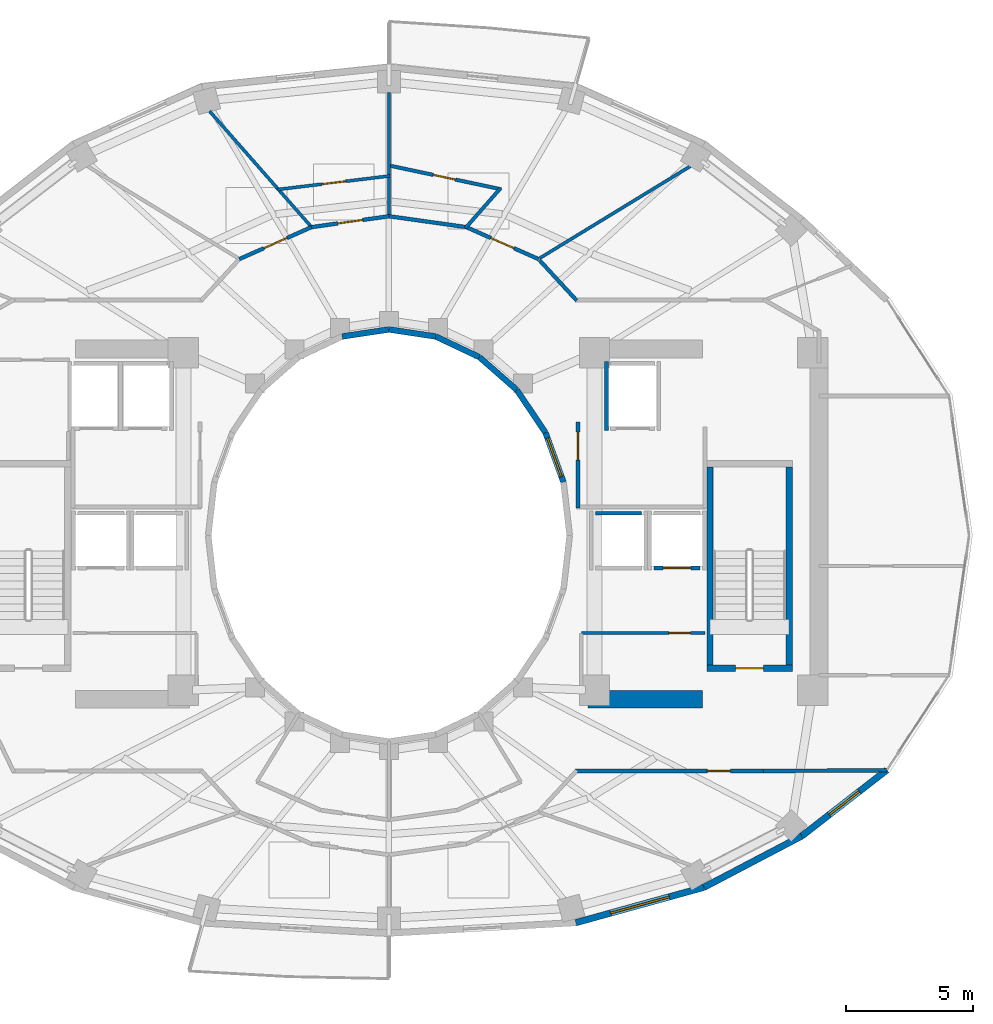
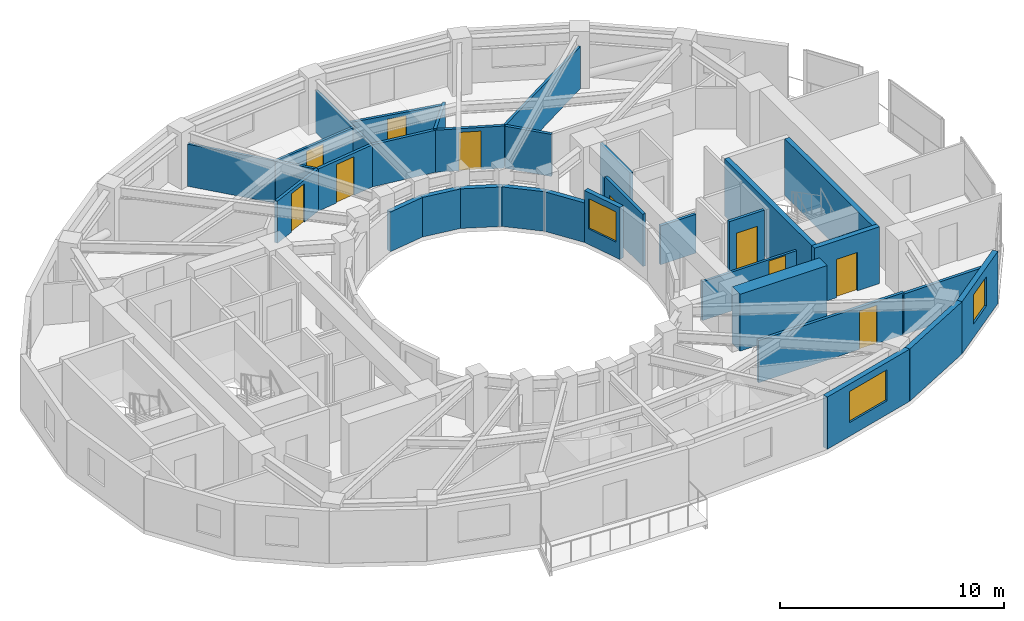
# One storey, part 8 of 13: 31 walls, 10 doors, 3 windows, 13 openings.
"""IFC4 building model written with IfcOpenShell, lengths in metres."""

import ifcopenshell
import ifcopenshell.guid

model = None  # the IFC model being written
_history = None  # IfcOwnerHistory: only IFC2X3 demands one
_inside = {}  # id of a spatial element -> (the spatial element, [elements in it])
_under = {}  # id of a project, library or spatial element -> (it, [spatial elements below it])
_declared = {}  # id of a project -> (the project, [libraries it declares])
_typed = {}  # id of a type object -> (the type object, [elements of that type])
_made_of = {}  # id of a material, layer set ... -> (it, [elements and type objects made of it])


def new_model(schema):
    """Start an empty IFC model of exactly this schema.

    Asked for "IFC4X3", IfcOpenShell would pick the latest addendum, in which some entities
    have other attributes; the version numbers below select the first issue.
    IFC2X3 requires an IfcOwnerHistory on every rooted entity: one is made here for all.
    """
    global model, _history
    if schema == "IFC4X3":
        model = ifcopenshell.file(schema_version=(4, 3, 0, 0))
    else:
        model = ifcopenshell.file(schema=schema)
    _inside.clear()
    _under.clear()
    _declared.clear()
    _typed.clear()
    _made_of.clear()
    _history = None
    if model.schema == "IFC2X3":
        org = make("IfcOrganization", Name="unknown")
        user = make(
            "IfcPersonAndOrganization",
            ThePerson=make("IfcPerson", FamilyName="unknown"),
            TheOrganization=org,
        )
        app = make(
            "IfcApplication",
            ApplicationDeveloper=org,
            Version="unknown",
            ApplicationFullName="unknown",
            ApplicationIdentifier="unknown",
        )
        _history = make(
            "IfcOwnerHistory",
            OwningUser=user,
            OwningApplication=app,
            ChangeAction="ADDED",
            CreationDate=0,
        )
    return model


def make(cls, **values):
    """One entity of the class cls with the attributes given. An attribute that is None is left unset."""
    return model.create_entity(
        cls, **{name: value for name, value in values.items() if value is not None}
    )


def rooted(cls, **values):
    """An entity with a GlobalId (a new one), such as an element, a storey or a relation."""
    return make(cls, GlobalId=ifcopenshell.guid.new(), OwnerHistory=_history, **values)


def si_unit(unit_type, name, prefix=None):
    """IfcSIUnit, for example si_unit("LENGTHUNIT", "METRE", prefix="MILLI")."""
    return make("IfcSIUnit", UnitType=unit_type, Prefix=prefix, Name=name)


def assignment(units):
    """IfcUnitAssignment: the units of a project."""
    return None if units is None else make("IfcUnitAssignment", Units=units)


def point(xyz):
    """IfcCartesianPoint."""
    return None if xyz is None else make("IfcCartesianPoint", Coordinates=xyz)


def direction(xyz):
    """IfcDirection."""
    return None if xyz is None else make("IfcDirection", DirectionRatios=xyz)


def frame(location, z_axis=None, x_axis=None):
    """IfcAxis2Placement3D, a coordinate frame: its origin and axes. An axis left out is left unset."""
    return make(
        "IfcAxis2Placement3D",
        Location=point(location),
        Axis=direction(z_axis),
        RefDirection=direction(x_axis),
    )


def frame_2d(location, x_axis=None):
    """IfcAxis2Placement2D, a coordinate frame in the plane: its origin and x axis."""
    return make(
        "IfcAxis2Placement2D", Location=point(location), RefDirection=direction(x_axis)
    )


def origin():
    """The frame at (0, 0, 0) with its axes left unset."""
    return frame((0.0, 0.0, 0.0))


def place(relative_to, where):
    """IfcLocalPlacement: puts the frame where relative to a parent placement (None: the world)."""
    return make(
        "IfcLocalPlacement", PlacementRelTo=relative_to, RelativePlacement=where
    )


def context(
    kind, dimensions, precision=None, world=None, true_north=None, identifier=None
):
    """IfcGeometricRepresentationContext, for example the 3D "Model" context."""
    return make(
        "IfcGeometricRepresentationContext",
        ContextIdentifier=identifier,
        ContextType=kind,
        CoordinateSpaceDimension=dimensions,
        Precision=precision,
        WorldCoordinateSystem=world,
        TrueNorth=true_north,
    )


def subcontext(parent, identifier, kind, view, scale=None):
    """IfcGeometricRepresentationSubContext, for example "Body" below "Model"."""
    return make(
        "IfcGeometricRepresentationSubContext",
        ContextIdentifier=identifier,
        ContextType=kind,
        ParentContext=parent,
        TargetScale=scale,
        TargetView=view,
    )


def project(units=None, contexts=None):
    """IfcProject with its units and contexts."""
    return rooted(
        "IfcProject",
        Name="project",
        RepresentationContexts=contexts,
        UnitsInContext=assignment(units),
    )


def spatial(cls, under=None, at=None, **own):
    """A site, building, storey or space (cls), placed at a placement, below another one or the project."""
    s = rooted(cls, ObjectPlacement=at, **own)
    if under is not None:
        _under.setdefault(under.id(), (under, []))[1].append(s)
    return s


def profile(cls, at=None, kind="AREA", **sizes):
    """A parametric profile (cls). Its sizes go by their IFC names, for example OverallWidth=200.0."""
    return make(cls, ProfileType=kind, Position=at, **sizes)


def rectangle(**sizes):
    """IfcRectangleProfileDef."""
    return profile("IfcRectangleProfileDef", **sizes)


def extrude(swept, where, along, depth):
    """IfcExtrudedAreaSolid: the profile swept, set in the frame where, extruded along a direction by depth."""
    return make(
        "IfcExtrudedAreaSolid",
        SweptArea=swept,
        Position=where,
        ExtrudedDirection=direction(along),
        Depth=depth,
    )


def shape(context_of_items, identifier, shape_type, items):
    """IfcShapeRepresentation: the items that make up one representation, for example the "Body"."""
    return make(
        "IfcShapeRepresentation",
        ContextOfItems=context_of_items,
        RepresentationIdentifier=identifier,
        RepresentationType=shape_type,
        Items=items,
    )


def material(Name=None, Category=None):
    """IfcMaterial."""
    return make("IfcMaterial", Name=Name, Category=Category)


def layer(
    of_material, thickness, ventilated=None, Name=None, Category=None, Priority=None
):
    """IfcMaterialLayer: one layer of a wall or slab, of a material (None: an air gap)."""
    return make(
        "IfcMaterialLayer",
        Material=of_material,
        LayerThickness=thickness,
        IsVentilated=ventilated,
        Name=Name,
        Category=Category,
        Priority=Priority,
    )


def layer_set(layers, Name=None):
    """IfcMaterialLayerSet."""
    return make("IfcMaterialLayerSet", MaterialLayers=layers, LayerSetName=Name)


def made_of(thing, what):
    """Note that an element or type object is made of a material, layer set ...; save() writes the relation."""
    if what is not None:
        _made_of.setdefault(what.id(), (what, []))[1].append(thing)
    return thing


def type_object(cls, material=None, **own):
    """A type object (cls), such as IfcWallType, which elements share."""
    return made_of(rooted(cls, **own), material)


def element(
    cls,
    number,
    at=None,
    inside=None,
    cuts=None,
    type_object=None,
    material=None,
    context=None,
    identifier="Body",
    shape_type=None,
    held_by="IfcProductDefinitionShape",
    body=None,
    shapes=None,
    **own,
):
    """One element of the class cls, such as IfcWall. Its Tag is "e" and its number.

    at: its placement. inside: the storey or other place that contains it. cuts: it is an
    opening in that element (IfcRelVoidsElement). A single representation is given by context,
    identifier, shape_type and body (its items); several are given by shapes. held_by: the class
    of the entity that holds the representations. save() writes the other relations.
    """
    e = rooted(cls, Tag="e%d" % number, ObjectPlacement=at, **own)
    if body is not None:
        shapes = [shape(context, identifier, shape_type, body)]
    if shapes is not None:
        e.Representation = make(held_by, Representations=shapes)
    if inside is not None:
        _inside.setdefault(inside.id(), (inside, []))[1].append(e)
    if cuts is not None:
        rooted(
            "IfcRelVoidsElement", RelatingBuildingElement=cuts, RelatedOpeningElement=e
        )
    if type_object is not None:
        _typed.setdefault(type_object.id(), (type_object, []))[1].append(e)
    return made_of(e, material)


def fill(opening, filler):
    """IfcRelFillsElement: the door or window that sits in an opening."""
    return rooted(
        "IfcRelFillsElement",
        RelatingOpeningElement=opening,
        RelatedBuildingElement=filler,
    )


def aggregate(whole, parts):
    """IfcRelAggregates: a whole, such as a stair, and the parts it consists of."""
    return rooted("IfcRelAggregates", RelatingObject=whole, RelatedObjects=parts)


def save(model, path):
    """Write the relations noted so far, then the file.

    IfcRelAggregates (storeys below a building ...), IfcRelContainedInSpatialStructure (elements
    in a storey), IfcRelDefinesByType, IfcRelAssociatesMaterial and IfcRelDeclares: one each for
    every whole, place, type object, material and project.
    """
    for whole, parts in _under.values():
        aggregate(whole, parts)
    for where, things in _inside.values():
        rooted(
            "IfcRelContainedInSpatialStructure",
            RelatedElements=things,
            RelatingStructure=where,
        )
    for kind, things in _typed.values():
        rooted("IfcRelDefinesByType", RelatedObjects=things, RelatingType=kind)
    for what, things in _made_of.values():
        rooted("IfcRelAssociatesMaterial", RelatedObjects=things, RelatingMaterial=what)
    for by, libraries in _declared.values():
        rooted("IfcRelDeclares", RelatingContext=by, RelatedDefinitions=libraries)
    model.write(path)


model = new_model("IFC4")

# Units and contexts
model_context = context("Model", 3, precision=1e-05, world=origin(), true_north=direction((0.0, 1.0)))
body_context = subcontext(model_context, "Body", "Model", "MODEL_VIEW")
ifc_project = project(units=[si_unit("LENGTHUNIT", "METRE"), si_unit("AREAUNIT", "SQUARE_METRE"), si_unit("VOLUMEUNIT", "CUBIC_METRE"), si_unit("PLANEANGLEUNIT", "RADIAN"), si_unit("MASSUNIT", "GRAM", prefix="KILO")], contexts=[model_context])

# Site, building, storey
site_placement = place(None, origin())
site = spatial("IfcSite", under=ifc_project, at=site_placement, CompositionType="ELEMENT")
building_placement = place(site_placement, origin())
building = spatial("IfcBuilding", under=site, at=building_placement, Name="Solvane Sanctuary Tower", CompositionType="ELEMENT")
storey_placement = place(building_placement, frame((0.0, 0.0, 156.0)))
storey = spatial("IfcBuildingStorey", under=building, at=storey_placement, Name="L47", CompositionType="ELEMENT", Elevation=156.0)

# Wall
ifc_material_1 = material(Name="Concrete C60/75", Category="concrete")
ifc_layer_1 = layer(ifc_material_1, 0.699951171875, Name="Concrete C60/75")
ifc_layer_set_1 = layer_set([ifc_layer_1], Name="Concrete C60/75")
wall_type_1 = type_object("IfcWallType", Name="Wall W-CORE-700", PredefinedType="SHEAR", material=ifc_layer_set_1)
wall_1_placement = place(storey_placement, frame((39.85009765625, 16.550048828125, 0.0), z_axis=(0.0, 0.0, 1.0), x_axis=(1.0, 0.0, 0.0)))
element("IfcWall", 1, at=wall_1_placement, inside=storey, type_object=wall_type_1, Name="L47 Core Shear Wall EC-S", PredefinedType="SHEAR", context=body_context, shape_type="SweptSolid", body=[
    extrude(rectangle(XDim=4.5, YDim=0.699951171875, at=frame_2d((2.25, 0.0))), origin(), (0.0, 0.0, 1.0), 3.10009765625),
])

# Wall, opening, door
ifc_material_2 = material(Name="Acoustic Gypsum Partition Board")
ifc_layer_2 = layer(ifc_material_2, 0.14990234375, Name="Acoustic Gypsum Partition Board")
ifc_layer_set_2 = layer_set([ifc_layer_2], Name="Acoustic Gypsum Partition Board")
wall_type_2 = type_object("IfcWallType", Name="Wall W-CORR-150", PredefinedType="PARTITIONING", material=ifc_layer_set_2)
wall_2_placement = place(storey_placement, frame((39.449951171875, 24.080078125, 0.0), z_axis=(0.0, 0.0, 1.0), x_axis=(0.0, 1.0, 0.0)))
wall_2 = element("IfcWall", 2, at=wall_2_placement, inside=storey, type_object=wall_type_2, Name="L47 East Firefighting Lobby West Wall", PredefinedType="PARTITIONING", context=body_context, shape_type="SweptSolid", body=[
    extrude(rectangle(XDim=3.39990234375, YDim=0.14990234375, at=frame_2d((1.699951171875, 0.0))), origin(), (0.0, 0.0, 1.0), 2.85498046875),
])
opening_1_placement = place(wall_2_placement, frame((1.893798828125, 0.0, 0.0)))
opening_1 = element("IfcOpeningElement", 3, at=opening_1_placement, cuts=wall_2, Name="Opening D-L47-07", PredefinedType="OPENING", context=body_context, shape_type="SweptSolid", body=[
    extrude(rectangle(XDim=1.10009765625, YDim=2.10009765625, at=frame_2d((0.550048828125, 1.050048828125))), frame((0.0, 0.0849609375, 0.0), z_axis=(0.0, -1.0, 0.0), x_axis=(1.0, 0.0, 0.0)), (0.0, 0.0, 1.0), 0.169921875),
])
ifc_material_3 = material(Name="Architectural Stainless Steel 316", Category="steel")
door_type_1 = type_object("IfcDoorType", Name="Door D-FFL", OperationType="NOTDEFINED", PredefinedType="DOOR", material=ifc_material_3)
door_1_placement = place(opening_1_placement, origin())
door_1 = element("IfcDoor", 4, at=door_1_placement, inside=storey, type_object=door_type_1, Name="L47 East Firefighting Lobby Fire Door", OperationType="SINGLE_SWING_LEFT", OverallHeight=2.10009765625, OverallWidth=1.10009765625, PredefinedType="DOOR", context=body_context, shape_type="SweptSolid", body=[
    extrude(rectangle(XDim=1.10009765625, YDim=2.10009765625, at=frame_2d((0.550048828125, 1.050048828125))), frame((0.0, 0.02490234375, 0.0), z_axis=(0.0, -1.0, 0.0), x_axis=(1.0, 0.0, 0.0)), (0.0, 0.0, 1.0), 0.050048828125),
])
fill(opening_1, door_1)

# Wall
wall_3_placement = place(storey_placement, frame((37.92822265625, 33.855712890625, 0.0), z_axis=(0.0, 0.0, 1.0), x_axis=(0.677579737957, -0.735449317567, 0.0)))
element("IfcWall", 5, at=wall_3_placement, inside=storey, type_object=wall_type_2, Name="L47 NE Corner Throat Wall", PredefinedType="PARTITIONING", context=body_context, shape_type="SweptSolid", body=[
    extrude(rectangle(XDim=2.172607421875, YDim=0.14990234375, at=frame_2d((1.08642578125, 0.0))), origin(), (0.0, 0.0, 1.0), 2.299072265625),
])

# Wall, opening, door
wall_4_placement = place(storey_placement, frame((39.330078125, 13.719970703125, 0.0), z_axis=(0.0, 0.0, 1.0), x_axis=(1.0, 0.0, 0.0)))
wall_4 = element("IfcWall", 6, at=wall_4_placement, inside=storey, type_object=wall_type_2, Name="L47 SE Corner Corridor Wall", PredefinedType="PARTITIONING", context=body_context, shape_type="SweptSolid", body=[
    extrude(rectangle(XDim=7.52001953125, YDim=0.14990234375, at=frame_2d((3.760009765625, 0.0))), origin(), (0.0, 0.0, 1.0), 2.299072265625),
])
opening_2_placement = place(wall_4_placement, frame((5.219970703125, 0.0, 0.0)))
opening_2 = element("IfcOpeningElement", 7, at=opening_2_placement, cuts=wall_4, Name="Opening D-L47-19", PredefinedType="OPENING", context=body_context, shape_type="SweptSolid", body=[
    extrude(rectangle(XDim=0.89990234375, YDim=2.10009765625, at=frame_2d((0.449951171875, 1.050048828125))), frame((0.0, 0.0849609375, 0.0), z_axis=(0.0, -1.0, 0.0), x_axis=(1.0, 0.0, 0.0)), (0.0, 0.0, 1.0), 0.169921875),
])
ifc_material_4 = material(Name="Engineered Tropical Hardwood", Category="wood")
door_type_2 = type_object("IfcDoorType", Name="Door D-WET-900", OperationType="NOTDEFINED", PredefinedType="DOOR", material=ifc_material_4)
door_2_placement = place(opening_2_placement, origin())
door_2 = element("IfcDoor", 8, at=door_2_placement, inside=storey, type_object=door_type_2, Name="L47 SE Corner Salon Door", OperationType="SINGLE_SWING_LEFT", OverallHeight=2.10009765625, OverallWidth=0.89990234375, PredefinedType="DOOR", context=body_context, shape_type="SweptSolid", body=[
    extrude(rectangle(XDim=0.89990234375, YDim=2.10009765625, at=frame_2d((0.449951171875, 1.050048828125))), frame((0.0, 0.02490234375, 0.0), z_axis=(0.0, -1.0, 0.0), x_axis=(1.0, 0.0, 0.0)), (0.0, 0.0, 1.0), 0.050048828125),
])
fill(opening_2, door_2)

# Walls
wall_5_placement = place(storey_placement, frame((46.75, 13.7197265625, 0.0), z_axis=(0.0, 0.0, 1.0), x_axis=(0.999981712056, 0.006047772638, 0.0)))
element("IfcWall", 9, at=wall_5_placement, inside=storey, type_object=wall_type_2, Name="L47 SE Corner Wing Wall", PredefinedType="PARTITIONING", context=body_context, shape_type="SweptSolid", body=[
    extrude(rectangle(XDim=4.884521484375, YDim=0.14990234375, at=frame_2d((2.4423828125, 0.0))), origin(), (0.0, 0.0, 1.0), 2.219970703125),
])
wall_6_placement = place(storey_placement, frame((35.098876953125, 35.146240234375, 0.0), z_axis=(0.0, 0.0, 1.0), x_axis=(-0.990251283702, 0.139292480508, 0.0)))
element("IfcWall", 10, at=wall_6_placement, inside=storey, type_object=wall_type_2, Name="L47 En-suite Inner Wall N1", PredefinedType="PARTITIONING", context=body_context, shape_type="SweptSolid", body=[
    extrude(rectangle(XDim=3.179443359375, YDim=0.14990234375, at=frame_2d((1.58984375, 0.0))), origin(), (0.0, 0.0, 1.0), 2.299072265625),
])

# Wall, opening, door
wall_7_placement = place(storey_placement, frame((37.898193359375, 33.891845703125, 0.0), z_axis=(0.0, 0.0, 1.0), x_axis=(-0.914519212393, 0.40454247016, 0.0)))
wall_7 = element("IfcWall", 11, at=wall_7_placement, inside=storey, type_object=wall_type_2, Name="L47 Unit Corridor Wall N1", PredefinedType="PARTITIONING", context=body_context, shape_type="SweptSolid", body=[
    extrude(rectangle(XDim=3.123779296875, YDim=0.14990234375, at=frame_2d((1.56201171875, 0.0))), origin(), (0.0, 0.0, 1.0), 2.299072265625),
])
opening_3_placement = place(wall_7_placement, frame((1.061767578125, 0.0, 0.0)))
opening_3 = element("IfcOpeningElement", 12, at=opening_3_placement, cuts=wall_7, Name="Opening D-L47-23", PredefinedType="OPENING", context=body_context, shape_type="SweptSolid", body=[
    extrude(rectangle(XDim=1.0, YDim=2.10009765625, at=frame_2d((0.5, 1.050048828125))), frame((0.0, 0.0849609375, 0.0), z_axis=(0.0, -1.0, 0.0), x_axis=(1.0, 0.0, 0.0)), (0.0, 0.0, 1.0), 0.169921875),
])
door_type_3 = type_object("IfcDoorType", Name="Door D-UNIT", OperationType="NOTDEFINED", PredefinedType="DOOR", material=ifc_material_4)
door_3_placement = place(opening_3_placement, origin())
door_3 = element("IfcDoor", 13, at=door_3_placement, inside=storey, type_object=door_type_3, Name="L47 Unit Entrance Door N1", OperationType="SINGLE_SWING_LEFT", OverallHeight=2.10009765625, OverallWidth=1.0, PredefinedType="DOOR", context=body_context, shape_type="SweptSolid", body=[
    extrude(rectangle(XDim=1.0, YDim=2.10009765625, at=frame_2d((0.5, 1.050048828125))), frame((0.0, 0.02490234375, 0.0), z_axis=(0.0, -1.0, 0.0), x_axis=(1.0, 0.0, 0.0)), (0.0, 0.0, 1.0), 0.050048828125),
])
fill(opening_3, door_3)

wall_8_placement = place(storey_placement, frame((32.00830078125, 35.58203125, 0.0), z_axis=(0.0, 0.0, 1.0), x_axis=(-0.990254709652, -0.13926812274, 0.0)))
wall_8 = element("IfcWall", 14, at=wall_8_placement, inside=storey, type_object=wall_type_2, Name="L47 Unit Corridor Wall N2", PredefinedType="PARTITIONING", context=body_context, shape_type="SweptSolid", body=[
    extrude(rectangle(XDim=3.095947265625, YDim=0.14990234375, at=frame_2d((1.5478515625, 0.0))), origin(), (0.0, 0.0, 1.0), 2.299072265625),
])
opening_4_placement = place(wall_8_placement, frame((1.0478515625, 0.0, 0.0)))
opening_4 = element("IfcOpeningElement", 15, at=opening_4_placement, cuts=wall_8, Name="Opening D-L47-25", PredefinedType="OPENING", context=body_context, shape_type="SweptSolid", body=[
    extrude(rectangle(XDim=1.0, YDim=2.10009765625, at=frame_2d((0.5, 1.050048828125))), frame((0.0, 0.0849609375, 0.0), z_axis=(0.0, -1.0, 0.0), x_axis=(1.0, 0.0, 0.0)), (0.0, 0.0, 1.0), 0.169921875),
])
door_4_placement = place(opening_4_placement, origin())
door_4 = element("IfcDoor", 16, at=door_4_placement, inside=storey, type_object=door_type_3, Name="L47 Unit Entrance Door N2", OperationType="SINGLE_SWING_LEFT", OverallHeight=2.10009765625, OverallWidth=1.0, PredefinedType="DOOR", context=body_context, shape_type="SweptSolid", body=[
    extrude(rectangle(XDim=1.0, YDim=2.10009765625, at=frame_2d((0.5, 1.050048828125))), frame((0.0, 0.02490234375, 0.0), z_axis=(0.0, -1.0, 0.0), x_axis=(1.0, 0.0, 0.0)), (0.0, 0.0, 1.0), 0.050048828125),
])
fill(opening_4, door_4)

wall_9_placement = place(storey_placement, frame((28.95849609375, 35.155517578125, 0.0), z_axis=(0.0, 0.0, 1.0), x_axis=(-0.914519212393, -0.40454247016, 0.0)))
wall_9 = element("IfcWall", 17, at=wall_9_placement, inside=storey, type_object=wall_type_2, Name="L47 Unit Corridor Wall N3", PredefinedType="PARTITIONING", context=body_context, shape_type="SweptSolid", body=[
    extrude(rectangle(XDim=3.123779296875, YDim=0.14990234375, at=frame_2d((1.56201171875, 0.0))), origin(), (0.0, 0.0, 1.0), 2.299072265625),
])
opening_5_placement = place(wall_9_placement, frame((1.061767578125, 0.0, 0.0)))
opening_5 = element("IfcOpeningElement", 18, at=opening_5_placement, cuts=wall_9, Name="Opening D-L47-26", PredefinedType="OPENING", context=body_context, shape_type="SweptSolid", body=[
    extrude(rectangle(XDim=1.0, YDim=2.10009765625, at=frame_2d((0.5, 1.050048828125))), frame((0.0, 0.0849609375, 0.0), z_axis=(0.0, -1.0, 0.0), x_axis=(1.0, 0.0, 0.0)), (0.0, 0.0, 1.0), 0.169921875),
])
door_5_placement = place(opening_5_placement, origin())
door_5 = element("IfcDoor", 19, at=door_5_placement, inside=storey, type_object=door_type_3, Name="L47 Unit Entrance Door N3", OperationType="SINGLE_SWING_RIGHT", OverallHeight=2.10009765625, OverallWidth=1.0, PredefinedType="DOOR", context=body_context, shape_type="SweptSolid", body=[
    extrude(rectangle(XDim=1.0, YDim=2.10009765625, at=frame_2d((0.5, 1.050048828125))), frame((0.0, 0.02490234375, 0.0), z_axis=(0.0, -1.0, 0.0), x_axis=(1.0, 0.0, 0.0)), (0.0, 0.0, 1.0), 0.050048828125),
])
fill(opening_5, door_5)

# Wall, opening, window
ifc_material_5 = material(Name="Precast concrete C40/50", Category="concrete")
ifc_layer_3 = layer(ifc_material_5, 0.260009765625, Name="Precast concrete C40/50")
ifc_layer_set_3 = layer_set([ifc_layer_3], Name="Precast concrete C40/50")
wall_type_3 = type_object("IfcWallType", Name="Wall W-EXT-250", PredefinedType="STANDARD", material=ifc_layer_set_3)
wall_10_placement = place(storey_placement, frame((39.365234375, 7.743408203125, 0.0), z_axis=(0.0, 0.0, 1.0), x_axis=(0.963953455704, 0.26607092144, 0.0)))
wall_10 = element("IfcWall", 20, at=wall_10_placement, inside=storey, type_object=wall_type_3, Name="L47 Ceramic-Printed Facade Wall 19", PredefinedType="STANDARD", context=body_context, shape_type="SweptSolid", body=[
    extrude(rectangle(XDim=5.236572265625, YDim=0.260009765625, at=frame_2d((2.6181640625, 0.0))), origin(), (0.0, 0.0, 1.0), 2.85009765625),
])
opening_6_placement = place(wall_10_placement, frame((1.418212890625, 0.0, 0.75)))
opening_6 = element("IfcOpeningElement", 21, at=opening_6_placement, cuts=wall_10, Name="Opening WN-RIB-2400", PredefinedType="OPENING", context=body_context, shape_type="SweptSolid", body=[
    extrude(rectangle(XDim=2.39990234375, YDim=1.699951171875, at=frame_2d((1.199951171875, 0.85009765625))), frame((0.0, 0.139892578125, 0.0), z_axis=(0.0, -1.0, 0.0), x_axis=(1.0, 0.0, 0.0)), (0.0, 0.0, 1.0), 0.280029296875),
])
ifc_material_6 = material(Name="Dark Ceramic-Fritted Low-E Glass", Category="glass")
window_type_1 = type_object("IfcWindowType", Name="Window WN-RIB-2400", PartitioningType="SINGLE_PANEL", PredefinedType="WINDOW", material=ifc_material_6)
window_1_placement = place(opening_6_placement, origin())
window_1 = element("IfcWindow", 22, at=window_1_placement, inside=storey, type_object=window_type_1, Name="L47 Operable Facade Window 19", OverallHeight=1.699951171875, OverallWidth=2.39990234375, PartitioningType="SINGLE_PANEL", PredefinedType="WINDOW", context=body_context, shape_type="SweptSolid", body=[
    extrude(rectangle(XDim=2.39990234375, YDim=1.699951171875, at=frame_2d((1.199951171875, 0.85009765625))), frame((0.0, 0.030029296875, 0.0), z_axis=(0.0, -1.0, 0.0), x_axis=(1.0, 0.0, 0.0)), (0.0, 0.0, 1.0), 0.06005859375),
])
fill(opening_6, window_1)

# Wall
wall_11_placement = place(storey_placement, frame((44.4130859375, 9.13671875, 0.0), z_axis=(0.0, 0.0, 1.0), x_axis=(0.885660265226, 0.464333818065, 0.0)))
element("IfcWall", 23, at=wall_11_placement, inside=storey, type_object=wall_type_3, Name="L47 Ceramic-Printed Facade Wall 20", PredefinedType="STANDARD", context=body_context, shape_type="SweptSolid", body=[
    extrude(rectangle(XDim=4.35400390625, YDim=0.260009765625, at=frame_2d((2.177001953125, 0.0))), origin(), (0.0, 0.0, 1.0), 2.85009765625),
])

# Wall, opening, window
wall_12_placement = place(storey_placement, frame((48.269287109375, 11.158447265625, 0.0), z_axis=(0.0, 0.0, 1.0), x_axis=(0.790185650662, 0.612867552973, 0.0)))
wall_12 = element("IfcWall", 24, at=wall_12_placement, inside=storey, type_object=wall_type_3, Name="L47 Ceramic-Printed Facade Wall 21", PredefinedType="STANDARD", context=body_context, shape_type="SweptSolid", body=[
    extrude(rectangle(XDim=4.2392578125, YDim=0.260009765625, at=frame_2d((2.11962890625, 0.0))), origin(), (0.0, 0.0, 1.0), 2.85009765625),
])
opening_7_placement = place(wall_12_placement, frame((1.36962890625, 0.0, 0.75)))
opening_7 = element("IfcOpeningElement", 25, at=opening_7_placement, cuts=wall_12, Name="Opening WN-OPER-1500", PredefinedType="OPENING", context=body_context, shape_type="SweptSolid", body=[
    extrude(rectangle(XDim=1.5, YDim=1.60009765625, at=frame_2d((0.75, 0.800048828125))), frame((0.0, 0.139892578125, 0.0), z_axis=(0.0, -1.0, 0.0), x_axis=(1.0, 0.0, 0.0)), (0.0, 0.0, 1.0), 0.280029296875),
])
window_type_2 = type_object("IfcWindowType", Name="Window WN-OPER-1500", PartitioningType="SINGLE_PANEL", PredefinedType="WINDOW", material=ifc_material_6)
window_2_placement = place(opening_7_placement, origin())
window_2 = element("IfcWindow", 26, at=window_2_placement, inside=storey, type_object=window_type_2, Name="L47 Operable Facade Window 21", OverallHeight=1.60009765625, OverallWidth=1.5, PartitioningType="SINGLE_PANEL", PredefinedType="WINDOW", context=body_context, shape_type="SweptSolid", body=[
    extrude(rectangle(XDim=1.5, YDim=1.60009765625, at=frame_2d((0.75, 0.800048828125))), frame((0.0, 0.030029296875, 0.0), z_axis=(0.0, -1.0, 0.0), x_axis=(1.0, 0.0, 0.0)), (0.0, 0.0, 1.0), 0.06005859375),
])
fill(opening_7, window_2)

ifc_layer_4 = layer(ifc_material_5, 0.22998046875, Name="Precast concrete C40/50")
ifc_layer_set_4 = layer_set([ifc_layer_4], Name="Precast concrete C40/50")
wall_type_4 = type_object("IfcWallType", Name="Wall W-EXT-SP220", PredefinedType="STANDARD", material=ifc_layer_set_4)
wall_13_placement = place(storey_placement, frame((38.87744140625, 25.1015625, 0.0), z_axis=(0.0, 0.0, 1.0), x_axis=(-0.341423187295, 0.93990968033, 0.0)))
wall_13 = element("IfcWall", 27, at=wall_13_placement, inside=storey, type_object=wall_type_4, Name="L47 Central Light-Well Wall 01", PredefinedType="STANDARD", context=body_context, shape_type="SweptSolid", body=[
    extrude(rectangle(XDim=2.083740234375, YDim=0.22998046875, at=frame_2d((1.0419921875, 0.0))), origin(), (0.0, 0.0, 1.0), 2.840087890625),
])
opening_8_placement = place(wall_13_placement, frame((0.24169921875, 0.0, 0.85009765625)))
opening_8 = element("IfcOpeningElement", 28, at=opening_8_placement, cuts=wall_13, Name="Opening WN-WELL-1600", PredefinedType="OPENING", context=body_context, shape_type="SweptSolid", body=[
    extrude(rectangle(XDim=1.60009765625, YDim=1.64990234375, at=frame_2d((0.800048828125, 0.824951171875))), frame((0.0, 0.125, 0.0), z_axis=(0.0, -1.0, 0.0), x_axis=(1.0, 0.0, 0.0)), (0.0, 0.0, 1.0), 0.25),
])
ifc_material_7 = material(Name="Clear Laminated Light-Well Glass", Category="glass")
window_type_3 = type_object("IfcWindowType", Name="Window WN-WELL-1600", PartitioningType="SINGLE_PANEL", PredefinedType="WINDOW", material=ifc_material_7)
window_3_placement = place(opening_8_placement, origin())
window_3 = element("IfcWindow", 29, at=window_3_placement, inside=storey, type_object=window_type_3, Name="L47 Light-Well Daylight Window 01", OverallHeight=1.64990234375, OverallWidth=1.60009765625, PartitioningType="SINGLE_PANEL", PredefinedType="WINDOW", context=body_context, shape_type="SweptSolid", body=[
    extrude(rectangle(XDim=1.60009765625, YDim=1.64990234375, at=frame_2d((0.800048828125, 0.824951171875))), frame((0.0, 0.030029296875, 0.0), z_axis=(0.0, -1.0, 0.0), x_axis=(1.0, 0.0, 0.0)), (0.0, 0.0, 1.0), 0.06005859375),
])
fill(opening_8, window_3)

# Walls
wall_14_placement = place(storey_placement, frame((38.166015625, 27.06005859375, 0.0), z_axis=(0.0, 0.0, 1.0), x_axis=(-0.558197800898, 0.829707909492, 0.0)))
element("IfcWall", 30, at=wall_14_placement, inside=storey, type_object=wall_type_4, Name="L47 Central Light-Well Wall 02", PredefinedType="STANDARD", context=body_context, shape_type="SweptSolid", body=[
    extrude(rectangle(XDim=2.02685546875, YDim=0.22998046875, at=frame_2d((1.013427734375, 0.0))), origin(), (0.0, 0.0, 1.0), 2.159912109375),
])
wall_15_placement = place(storey_placement, frame((37.03466796875, 28.74169921875, 0.0), z_axis=(0.0, 0.0, 1.0), x_axis=(-0.752576694707, 0.658504607869, 0.0)))
element("IfcWall", 31, at=wall_15_placement, inside=storey, type_object=wall_type_4, Name="L47 Central Light-Well Wall 03", PredefinedType="STANDARD", context=body_context, shape_type="SweptSolid", body=[
    extrude(rectangle(XDim=1.95947265625, YDim=0.22998046875, at=frame_2d((0.979736328125, 0.0))), origin(), (0.0, 0.0, 1.0), 2.159912109375),
])
wall_16_placement = place(storey_placement, frame((35.56005859375, 30.031982421875, 0.0), z_axis=(0.0, 0.0, 1.0), x_axis=(-0.904179699603, 0.427152280606, 0.0)))
element("IfcWall", 32, at=wall_16_placement, inside=storey, type_object=wall_type_4, Name="L47 Central Light-Well Wall 04", PredefinedType="STANDARD", context=body_context, shape_type="SweptSolid", body=[
    extrude(rectangle(XDim=1.899169921875, YDim=0.22998046875, at=frame_2d((0.94970703125, 0.0))), origin(), (0.0, 0.0, 1.0), 2.159912109375),
])
for number, where, z_axis, x_axis, name in (
    (33, (33.8427734375, 30.84326171875, 0.0), (0.0, 0.0, 1.0), (-0.988901730308, 0.148571086668, 0.0), "L47 Central Light-Well Wall 05"),
    (34, (32.0, 31.1201171875, 0.0), (0.0, 0.0, 1.0), (-0.988901730308, -0.148571086668, 0.0), "L47 Central Light-Well Wall 06"),
):
    element("IfcWall", number, at=place(storey_placement, frame(where, z_axis=z_axis, x_axis=x_axis)), inside=storey, type_object=wall_type_4, Name=name, PredefinedType="STANDARD", context=body_context, shape_type="SweptSolid", body=[
        extrude(rectangle(XDim=1.863525390625, YDim=0.22998046875, at=frame_2d((0.931640625, 0.0))), origin(), (0.0, 0.0, 1.0), 2.159912109375),
    ])

# Wall, opening, door
ifc_layer_5 = layer(ifc_material_2, 0.1201171875, Name="Acoustic Gypsum Partition Board")
ifc_layer_set_5 = layer_set([ifc_layer_5], Name="Acoustic Gypsum Partition Board")
wall_type_5 = type_object("IfcWallType", Name="Wall W-MOV-100", PredefinedType="MOVABLE", material=ifc_layer_set_5)
wall_17_placement = place(storey_placement, frame((32.049560546875, 37.17138671875, 0.0), z_axis=(0.0, 0.0, 1.0), x_axis=(-0.992759753087, -0.120116912424, 0.0)))
wall_17 = element("IfcWall", 35, at=wall_17_placement, inside=storey, type_object=wall_type_5, Name="L47 Suite Sitting Lounge Partition N2", PredefinedType="MOVABLE", context=body_context, shape_type="SweptSolid", body=[
    extrude(rectangle(XDim=4.48779296875, YDim=0.1201171875, at=frame_2d((2.243896484375, 0.0))), origin(), (0.0, 0.0, 1.0), 2.299072265625),
])
opening_9_placement = place(wall_17_placement, frame((1.768798828125, 0.0, 0.0)))
opening_9 = element("IfcOpeningElement", 36, at=opening_9_placement, cuts=wall_17, Name="Opening D-L47-24", PredefinedType="OPENING", context=body_context, shape_type="SweptSolid", body=[
    extrude(rectangle(XDim=0.949951171875, YDim=2.10009765625, at=frame_2d((0.47509765625, 1.050048828125))), frame((0.0, 0.070068359375, 0.0), z_axis=(0.0, -1.0, 0.0), x_axis=(1.0, 0.0, 0.0)), (0.0, 0.0, 1.0), 0.14013671875),
])
door_type_4 = type_object("IfcDoorType", Name="Door D-ROOM-950", OperationType="NOTDEFINED", PredefinedType="DOOR", material=ifc_material_4)
door_6_placement = place(opening_9_placement, origin())
door_6 = element("IfcDoor", 37, at=door_6_placement, inside=storey, type_object=door_type_4, Name="L47 Suite Sitting Lounge Door N2", OperationType="SINGLE_SWING_RIGHT", OverallHeight=2.10009765625, OverallWidth=0.949951171875, PredefinedType="DOOR", context=body_context, shape_type="SweptSolid", body=[
    extrude(rectangle(XDim=0.949951171875, YDim=2.10009765625, at=frame_2d((0.47509765625, 1.050048828125))), frame((0.0, 0.02490234375, 0.0), z_axis=(0.0, -1.0, 0.0), x_axis=(1.0, 0.0, 0.0)), (0.0, 0.0, 1.0), 0.050048828125),
])
fill(opening_9, door_6)

ifc_layer_6 = layer(ifc_material_2, 0.125, Name="Acoustic Gypsum Partition Board")
ifc_layer_set_6 = layer_set([ifc_layer_6], Name="Acoustic Gypsum Partition Board")
wall_type_6 = type_object("IfcWallType", Name="Wall W-PART-125", PredefinedType="PARTITIONING", material=ifc_layer_set_6)
wall_18_placement = place(storey_placement, frame((39.580078125, 19.159912109375, 0.0), z_axis=(0.0, 0.0, 1.0), x_axis=(1.0, 0.0, 0.0)))
wall_18 = element("IfcWall", 38, at=wall_18_placement, inside=storey, type_object=wall_type_6, Name="L47 Reclaimed Room Partition PLE", PredefinedType="PARTITIONING", context=body_context, shape_type="SweptSolid", body=[
    extrude(rectangle(XDim=4.869873046875, YDim=0.125, at=frame_2d((2.43505859375, 0.0))), origin(), (0.0, 0.0, 1.0), 2.1201171875),
])
opening_10_placement = place(wall_18_placement, frame((3.449951171875, 0.0, 0.0)))
opening_10 = element("IfcOpeningElement", 39, at=opening_10_placement, cuts=wall_18, Name="Opening D-L47-09", PredefinedType="OPENING", context=body_context, shape_type="SweptSolid", body=[
    extrude(rectangle(XDim=0.85009765625, YDim=2.050048828125, at=frame_2d((0.425048828125, 1.02490234375))), frame((0.0, 0.072509765625, 0.0), z_axis=(0.0, -1.0, 0.0), x_axis=(1.0, 0.0, 0.0)), (0.0, 0.0, 1.0), 0.14501953125),
])
door_type_5 = type_object("IfcDoorType", Name="Door D-RISER", OperationType="NOTDEFINED", PredefinedType="DOOR", material=ifc_material_3)
door_7_placement = place(opening_10_placement, origin())
door_7 = element("IfcDoor", 40, at=door_7_placement, inside=storey, type_object=door_type_5, Name="L47 Reclaimed Room Door PLE-1", OperationType="SINGLE_SWING_LEFT", OverallHeight=2.050048828125, OverallWidth=0.85009765625, PredefinedType="DOOR", context=body_context, shape_type="SweptSolid", body=[
    extrude(rectangle(XDim=0.85009765625, YDim=2.050048828125, at=frame_2d((0.425048828125, 1.02490234375))), frame((0.0, 0.02490234375, 0.0), z_axis=(0.0, -1.0, 0.0), x_axis=(1.0, 0.0, 0.0)), (0.0, 0.0, 1.0), 0.050048828125),
])
fill(opening_10, door_7)

# Walls
wall_19_placement = place(storey_placement, frame((37.93798828125, 33.925048828125, 0.0), z_axis=(0.0, 0.0, 1.0), x_axis=(0.853440334679, 0.521190555501, 0.0)))
element("IfcWall", 41, at=wall_19_placement, inside=storey, type_object=wall_type_6, Name="L47 Radial Compartment Wall 060", PredefinedType="PARTITIONING", context=body_context, shape_type="SweptSolid", body=[
    extrude(rectangle(XDim=6.966064453125, YDim=0.125, at=frame_2d((3.48291015625, 0.0))), origin(), (0.0, 0.0, 1.0), 2.299072265625),
])
wall_20_placement = place(storey_placement, frame((32.0, 35.636962890625, 0.0), z_axis=(0.0, 0.0, 1.0), x_axis=(0.0, 1.0, 0.0)))
element("IfcWall", 42, at=wall_20_placement, inside=storey, type_object=wall_type_6, Name="L47 Radial Compartment Wall 090", PredefinedType="PARTITIONING", context=body_context, shape_type="SweptSolid", body=[
    extrude(rectangle(XDim=4.81298828125, YDim=0.125, at=frame_2d((2.406494140625, 0.0))), origin(), (0.0, 0.0, 1.0), 2.299072265625),
])
wall_21_placement = place(storey_placement, frame((28.914306640625, 35.194580078125, 0.0), z_axis=(0.0, 0.0, 1.0), x_axis=(-0.660581320981, 0.750754499401, 0.0)))
element("IfcWall", 43, at=wall_21_placement, inside=storey, type_object=wall_type_6, Name="L47 Radial Compartment Wall 105", PredefinedType="PARTITIONING", context=body_context, shape_type="SweptSolid", body=[
    extrude(rectangle(XDim=6.02685546875, YDim=0.125, at=frame_2d((3.013427734375, 0.0))), origin(), (0.0, 0.0, 1.0), 2.299072265625),
])

# Wall, opening, door
ifc_material_8 = material(Name="Concrete C50/60", Category="concrete")
ifc_layer_7 = layer(ifc_material_8, 0.14990234375, Name="Concrete C50/60")
ifc_layer_set_7 = layer_set([ifc_layer_7], Name="Concrete C50/60")
wall_type_7 = type_object("IfcWallType", Name="Wall W-SHAFT-150", PredefinedType="SOLIDWALL", material=ifc_layer_set_7)
wall_22_placement = place(storey_placement, frame((42.43994140625, 21.719970703125, 0.0), z_axis=(0.0, 0.0, 1.0), x_axis=(1.0, 0.0, 0.0)))
wall_22 = element("IfcWall", 44, at=wall_22_placement, inside=storey, type_object=wall_type_7, Name="L47 PM-2 Lift Shaft Wall F", PredefinedType="SOLIDWALL", context=body_context, shape_type="SweptSolid", body=[
    extrude(rectangle(XDim=1.820068359375, YDim=0.14990234375, at=frame_2d((0.91015625, 0.0))), origin(), (0.0, 0.0, 1.0), 2.85498046875),
])
opening_11_placement = place(wall_22_placement, frame((0.360107421875, 0.0, 0.0)))
opening_11 = element("IfcOpeningElement", 45, at=opening_11_placement, cuts=wall_22, Name="Opening LD-L47-02", PredefinedType="OPENING", context=body_context, shape_type="SweptSolid", body=[
    extrude(rectangle(XDim=1.10009765625, YDim=2.10009765625, at=frame_2d((0.550048828125, 1.050048828125))), frame((0.0, 0.0849609375, 0.0), z_axis=(0.0, -1.0, 0.0), x_axis=(1.0, 0.0, 0.0)), (0.0, 0.0, 1.0), 0.169921875),
])
door_type_6 = type_object("IfcDoorType", Name="Door LD-PASS-1100", OperationType="NOTDEFINED", PredefinedType="DOOR", material=ifc_material_3)
door_8_placement = place(opening_11_placement, origin())
door_8 = element("IfcDoor", 46, at=door_8_placement, inside=storey, type_object=door_type_6, Name="L47 PM-2 Lift Landing Door", OperationType="DOUBLE_DOOR_SLIDING", OverallHeight=2.10009765625, OverallWidth=1.10009765625, PredefinedType="DOOR", context=body_context, shape_type="SweptSolid", body=[
    extrude(rectangle(XDim=1.10009765625, YDim=2.10009765625, at=frame_2d((0.550048828125, 1.050048828125))), frame((0.0, 0.02490234375, 0.0), z_axis=(0.0, -1.0, 0.0), x_axis=(1.0, 0.0, 0.0)), (0.0, 0.0, 1.0), 0.050048828125),
])
fill(opening_11, door_8)

# Walls
wall_23_placement = place(storey_placement, frame((40.139892578125, 23.8798828125, 0.0), z_axis=(0.0, 0.0, 1.0), x_axis=(1.0, 0.0, 0.0)))
element("IfcWall", 47, at=wall_23_placement, inside=storey, type_object=wall_type_7, Name="L47 PH-2 Lift Shaft Wall B", PredefinedType="SOLIDWALL", context=body_context, shape_type="SweptSolid", body=[
    extrude(rectangle(XDim=1.820068359375, YDim=0.14990234375, at=frame_2d((0.91015625, 0.0))), origin(), (0.0, 0.0, 1.0), 2.1201171875),
])
wall_24_placement = place(storey_placement, frame((40.570068359375, 27.139892578125, 0.0), z_axis=(0.0, 0.0, 1.0), x_axis=(0.0, 1.0, 0.0)))
element("IfcWall", 48, at=wall_24_placement, inside=storey, type_object=wall_type_7, Name="L47 FFL-2 Lift Shaft Wall S1", PredefinedType="SOLIDWALL", context=body_context, shape_type="SweptSolid", body=[
    extrude(rectangle(XDim=2.72021484375, YDim=0.14990234375, at=frame_2d((1.360107421875, 0.0))), origin(), (0.0, 0.0, 1.0), 2.85498046875),
])

# Wall, opening, door
ifc_layer_8 = layer(ifc_material_8, 0.25, Name="Concrete C50/60")
ifc_layer_set_8 = layer_set([ifc_layer_8], Name="Concrete C50/60")
wall_type_8 = type_object("IfcWallType", Name="Wall W-SHAFT-250", PredefinedType="SOLIDWALL", material=ifc_layer_set_8)
wall_25_placement = place(storey_placement, frame((44.52490234375, 17.77001953125, 0.0), z_axis=(0.0, 0.0, 1.0), x_axis=(1.0, 0.0, 0.0)))
wall_25 = element("IfcWall", 49, at=wall_25_placement, inside=storey, type_object=wall_type_8, Name="L47 ST-2 Load-Bearing Shaft Wall S", PredefinedType="SOLIDWALL", context=body_context, shape_type="SweptSolid", body=[
    extrude(rectangle(XDim=3.3701171875, YDim=0.25, at=frame_2d((1.68505859375, 0.0))), origin(), (0.0, 0.0, 1.0), 3.10009765625),
])
opening_12_placement = place(wall_25_placement, frame((1.135009765625, 0.0, 0.0)))
opening_12 = element("IfcOpeningElement", 50, at=opening_12_placement, cuts=wall_25, Name="Opening D-L47-04", PredefinedType="OPENING", context=body_context, shape_type="SweptSolid", body=[
    extrude(rectangle(XDim=1.10009765625, YDim=2.10009765625, at=frame_2d((0.550048828125, 1.050048828125))), frame((0.0, 0.135009765625, 0.0), z_axis=(0.0, -1.0, 0.0), x_axis=(1.0, 0.0, 0.0)), (0.0, 0.0, 1.0), 0.27001953125),
])
door_type_7 = type_object("IfcDoorType", Name="Door D-STAIR", OperationType="NOTDEFINED", PredefinedType="DOOR", material=ifc_material_3)
door_9_placement = place(opening_12_placement, origin())
door_9 = element("IfcDoor", 51, at=door_9_placement, inside=storey, type_object=door_type_7, Name="L47 ST-2 Exit Stair Fire Door", OperationType="SINGLE_SWING_RIGHT", OverallHeight=2.10009765625, OverallWidth=1.10009765625, PredefinedType="DOOR", context=body_context, shape_type="SweptSolid", body=[
    extrude(rectangle(XDim=1.10009765625, YDim=2.10009765625, at=frame_2d((0.550048828125, 1.050048828125))), frame((0.0, 0.02490234375, 0.0), z_axis=(0.0, -1.0, 0.0), x_axis=(1.0, 0.0, 0.0)), (0.0, 0.0, 1.0), 0.050048828125),
])
fill(opening_12, door_9)

# Walls
for number, where, z_axis, x_axis, name in (
    (52, (44.64990234375, 17.89501953125, 0.0), (0.0, 0.0, 1.0), (0.0, 1.0, 0.0), "L47 ST-2 Load-Bearing Shaft Wall W"),
    (53, (47.77001953125, 17.89501953125, 0.0), (0.0, 0.0, 1.0), (0.0, 1.0, 0.0), "L47 ST-2 Load-Bearing Shaft Wall E"),
):
    element("IfcWall", number, at=place(storey_placement, frame(where, z_axis=z_axis, x_axis=x_axis)), inside=storey, type_object=wall_type_8, Name=name, PredefinedType="SOLIDWALL", context=body_context, shape_type="SweptSolid", body=[
        extrude(rectangle(XDim=7.81005859375, YDim=0.25, at=frame_2d((3.905029296875, 0.0))), origin(), (0.0, 0.0, 1.0), 3.10009765625),
    ])
ifc_layer_9 = layer(ifc_material_2, 0.139892578125, Name="Acoustic Gypsum Partition Board")
ifc_layer_set_9 = layer_set([ifc_layer_9], Name="Acoustic Gypsum Partition Board")
wall_type_9 = type_object("IfcWallType", Name="Wall W-WET-140", PredefinedType="PLUMBINGWALL", material=ifc_layer_set_9)
wall_26_placement = place(storey_placement, frame((35.016357421875, 35.11572265625, 0.0), z_axis=(0.0, 0.0, 1.0), x_axis=(0.660559753652, 0.750773475727, 0.0)))
element("IfcWall", 54, at=wall_26_placement, inside=storey, type_object=wall_type_9, Name="L47 En-suite Side Partition N1", PredefinedType="PLUMBINGWALL", context=body_context, shape_type="SweptSolid", body=[
    extrude(rectangle(XDim=2.10009765625, YDim=0.139892578125, at=frame_2d((1.050048828125, 0.0))), origin(), (0.0, 0.0, 1.0), 2.385009765625),
])

# Wall, opening, door
wall_27_placement = place(storey_placement, frame((36.41943359375, 36.644287109375, 0.0), z_axis=(0.0, 0.0, 1.0), x_axis=(-0.978225905005, 0.20754295646, 0.0)))
wall_27 = element("IfcWall", 55, at=wall_27_placement, inside=storey, type_object=wall_type_9, Name="L47 En-suite Bedroom Wall N1", PredefinedType="PLUMBINGWALL", context=body_context, shape_type="SweptSolid", body=[
    extrude(rectangle(XDim=4.567626953125, YDim=0.139892578125, at=frame_2d((2.28369140625, 0.0))), origin(), (0.0, 0.0, 1.0), 2.299072265625),
])
opening_13_placement = place(wall_27_placement, frame((1.833984375, 0.0, 0.0)))
opening_13 = element("IfcOpeningElement", 56, at=opening_13_placement, cuts=wall_27, Name="Opening D-L47-22", PredefinedType="OPENING", context=body_context, shape_type="SweptSolid", body=[
    extrude(rectangle(XDim=0.89990234375, YDim=2.10009765625, at=frame_2d((0.449951171875, 1.050048828125))), frame((0.0, 0.079833984375, 0.0), z_axis=(0.0, -1.0, 0.0), x_axis=(1.0, 0.0, 0.0)), (0.0, 0.0, 1.0), 0.159912109375),
])
door_10_placement = place(opening_13_placement, origin())
door_10 = element("IfcDoor", 57, at=door_10_placement, inside=storey, type_object=door_type_2, Name="L47 En-suite Bathroom Door N1", OperationType="SINGLE_SWING_RIGHT", OverallHeight=2.10009765625, OverallWidth=0.89990234375, PredefinedType="DOOR", context=body_context, shape_type="SweptSolid", body=[
    extrude(rectangle(XDim=0.89990234375, YDim=2.10009765625, at=frame_2d((0.449951171875, 1.050048828125))), frame((0.0, 0.02490234375, 0.0), z_axis=(0.0, -1.0, 0.0), x_axis=(1.0, 0.0, 0.0)), (0.0, 0.0, 1.0), 0.050048828125),
])
fill(opening_13, door_10)

save(model, "model.ifc")
